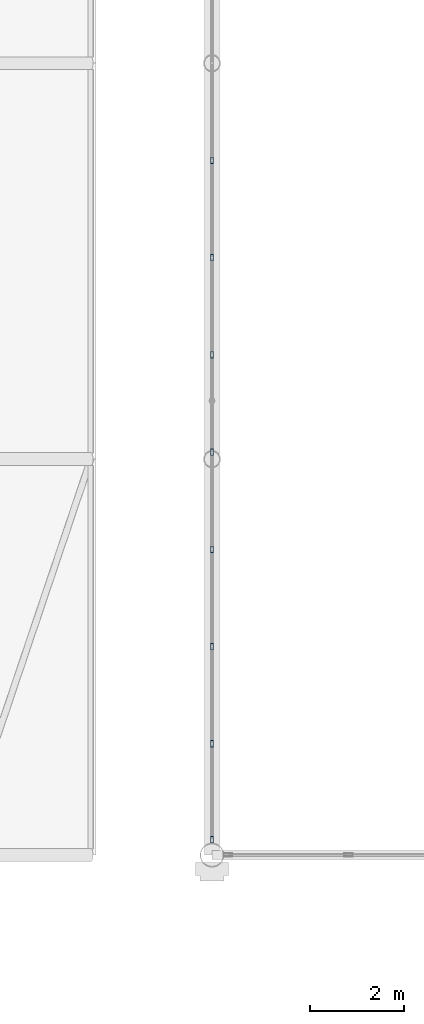
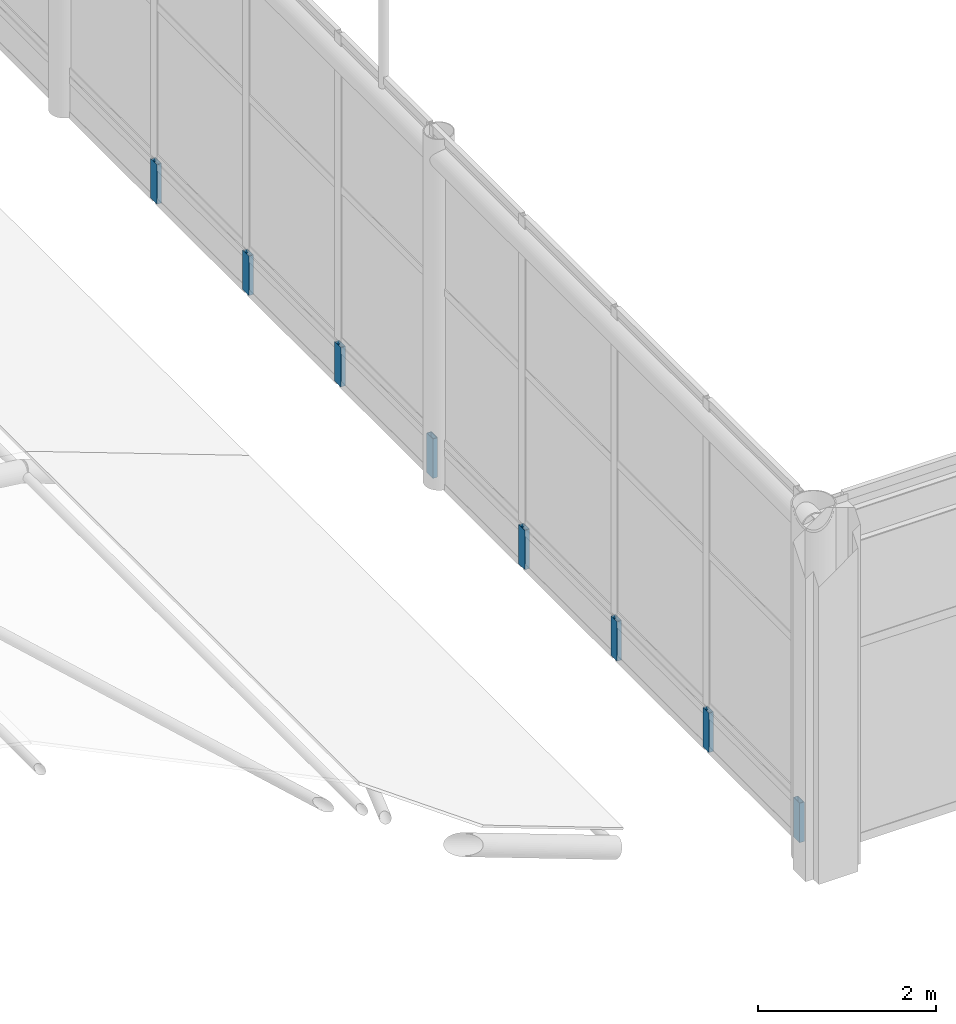
# One storey, part 132 of 167: 8 members, 1 element without a shape of its own.
"""IFC4 building model written with IfcOpenShell, lengths in metres."""

from ifc_helpers import new_model, si_unit, direction, frame, origin, origin_2d, place, context, subcontext, project, spatial, hollow_rectangle, extrude, material, material_profile, profile_set, type_object, element, aggregate, save


model = new_model("IFC4")

# Units and contexts
model_context = context("Model", 3, precision=1e-05, world=origin(), true_north=direction((0.0, 1.0)))
body_context = subcontext(model_context, "Body", "Model", "MODEL_VIEW")
ifc_project = project(units=[si_unit("LENGTHUNIT", "METRE"), si_unit("AREAUNIT", "SQUARE_METRE"), si_unit("VOLUMEUNIT", "CUBIC_METRE"), si_unit("PLANEANGLEUNIT", "RADIAN"), si_unit("MASSUNIT", "GRAM", prefix="KILO")], contexts=[model_context])

# Site, building, storey
site_placement = place(None, origin())
site = spatial("IfcSite", under=ifc_project, at=site_placement, CompositionType="ELEMENT")
building_placement = place(site_placement, origin())
building = spatial("IfcBuilding", under=site, at=building_placement, Name="Catenary Quay Ferry Terminal", CompositionType="ELEMENT")
storey_placement = place(building_placement, frame((0.0, 0.0, 6.0)))
storey = spatial("IfcBuildingStorey", under=building, at=storey_placement, Name="L01", CompositionType="ELEMENT", Elevation=6.0)

# Curtain wall, members
ifc_material_1 = material(Name="Aluminium and glass", Category="aluminium")
curtain_wall_type = type_object("IfcCurtainWallType", Name="CWQ", PredefinedType="NOTDEFINED", material=ifc_material_1)
curtain_wall_placement = place(storey_placement, origin())
curtain_wall = element("IfcCurtainWall", 1, at=curtain_wall_placement, inside=storey, type_object=curtain_wall_type, Name="Gable arrivals hall base curtain wall CW173", PredefinedType="NOTDEFINED")
ifc_material_2 = material(Name="Aluminium", Category="aluminium")
ifc_material_profile = material_profile(ifc_material_2, hollow_rectangle(XDim=0.06005859375, YDim=0.139892578125, WallThickness=0.006103515625, at=origin_2d()), Name="MU2")
ifc_profile_set = profile_set([ifc_material_profile], Name="Aluminium")
member_type = type_object("IfcMemberType", Name="MU2", PredefinedType="MULLION", material=ifc_profile_set)
member_1_placement = place(storey_placement, frame((25.199951171875, 67.530029296875, 0.0), z_axis=(0.0, 0.0, 1.0), x_axis=(-1.0, 0.0, 0.0)))
member_1 = element("IfcMember", 2, at=member_1_placement, type_object=member_type, Name="CW173 mullion 1", PredefinedType="MULLION", context=body_context, shape_type="SweptSolid", body=[
    extrude(hollow_rectangle(XDim=0.06005859375, YDim=0.139892578125, WallThickness=0.006103515625, at=origin_2d()), origin(), (0.0, 0.0, 1.0), 0.5400390625),
])
member_2_placement = place(storey_placement, frame((25.199951171875, 69.5625, 0.0), z_axis=(0.0, 0.0, 1.0), x_axis=(-1.0, 0.0, 0.0)))
member_2 = element("IfcMember", 3, at=member_2_placement, type_object=member_type, Name="CW173 mullion 2", PredefinedType="MULLION", context=body_context, shape_type="SweptSolid", body=[
    extrude(hollow_rectangle(XDim=0.06005859375, YDim=0.139892578125, WallThickness=0.006103515625, at=origin_2d()), origin(), (0.0, 0.0, 1.0), 0.5400390625),
])
member_3_placement = place(storey_placement, frame((25.199951171875, 71.625, 0.0), z_axis=(0.0, 0.0, 1.0), x_axis=(-1.0, 0.0, 0.0)))
member_3 = element("IfcMember", 4, at=member_3_placement, type_object=member_type, Name="CW173 mullion 3", PredefinedType="MULLION", context=body_context, shape_type="SweptSolid", body=[
    extrude(hollow_rectangle(XDim=0.06005859375, YDim=0.139892578125, WallThickness=0.006103515625, at=origin_2d()), origin(), (0.0, 0.0, 1.0), 0.5400390625),
])
member_4_placement = place(storey_placement, frame((25.199951171875, 73.6875, 0.0), z_axis=(0.0, 0.0, 1.0), x_axis=(-1.0, 0.0, 0.0)))
member_4 = element("IfcMember", 5, at=member_4_placement, type_object=member_type, Name="CW173 mullion 4", PredefinedType="MULLION", context=body_context, shape_type="SweptSolid", body=[
    extrude(hollow_rectangle(XDim=0.06005859375, YDim=0.139892578125, WallThickness=0.006103515625, at=origin_2d()), origin(), (0.0, 0.0, 1.0), 0.5400390625),
])
member_5_placement = place(storey_placement, frame((25.199951171875, 75.75, 0.0), z_axis=(0.0, 0.0, 1.0), x_axis=(-1.0, 0.0, 0.0)))
member_5 = element("IfcMember", 6, at=member_5_placement, type_object=member_type, Name="CW173 mullion 5", PredefinedType="MULLION", context=body_context, shape_type="SweptSolid", body=[
    extrude(hollow_rectangle(XDim=0.06005859375, YDim=0.139892578125, WallThickness=0.006103515625, at=origin_2d()), origin(), (0.0, 0.0, 1.0), 0.5400390625),
])
member_6_placement = place(storey_placement, frame((25.199951171875, 77.8125, 0.0), z_axis=(0.0, 0.0, 1.0), x_axis=(-1.0, 0.0, 0.0)))
member_6 = element("IfcMember", 7, at=member_6_placement, type_object=member_type, Name="CW173 mullion 6", PredefinedType="MULLION", context=body_context, shape_type="SweptSolid", body=[
    extrude(hollow_rectangle(XDim=0.06005859375, YDim=0.139892578125, WallThickness=0.006103515625, at=origin_2d()), origin(), (0.0, 0.0, 1.0), 0.5400390625),
])
member_7_placement = place(storey_placement, frame((25.199951171875, 79.875, 0.0), z_axis=(0.0, 0.0, 1.0), x_axis=(-1.0, 0.0, 0.0)))
member_7 = element("IfcMember", 8, at=member_7_placement, type_object=member_type, Name="CW173 mullion 7", PredefinedType="MULLION", context=body_context, shape_type="SweptSolid", body=[
    extrude(hollow_rectangle(XDim=0.06005859375, YDim=0.139892578125, WallThickness=0.006103515625, at=origin_2d()), origin(), (0.0, 0.0, 1.0), 0.5400390625),
])
member_8_placement = place(storey_placement, frame((25.199951171875, 81.9375, 0.0), z_axis=(0.0, 0.0, 1.0), x_axis=(-1.0, 0.0, 0.0)))
member_8 = element("IfcMember", 9, at=member_8_placement, type_object=member_type, Name="CW173 mullion 8", PredefinedType="MULLION", context=body_context, shape_type="SweptSolid", body=[
    extrude(hollow_rectangle(XDim=0.06005859375, YDim=0.139892578125, WallThickness=0.006103515625, at=origin_2d()), origin(), (0.0, 0.0, 1.0), 0.5400390625),
])
aggregate(curtain_wall, [member_1, member_2, member_3, member_4, member_5, member_6, member_7, member_8])

save(model, "model.ifc")
